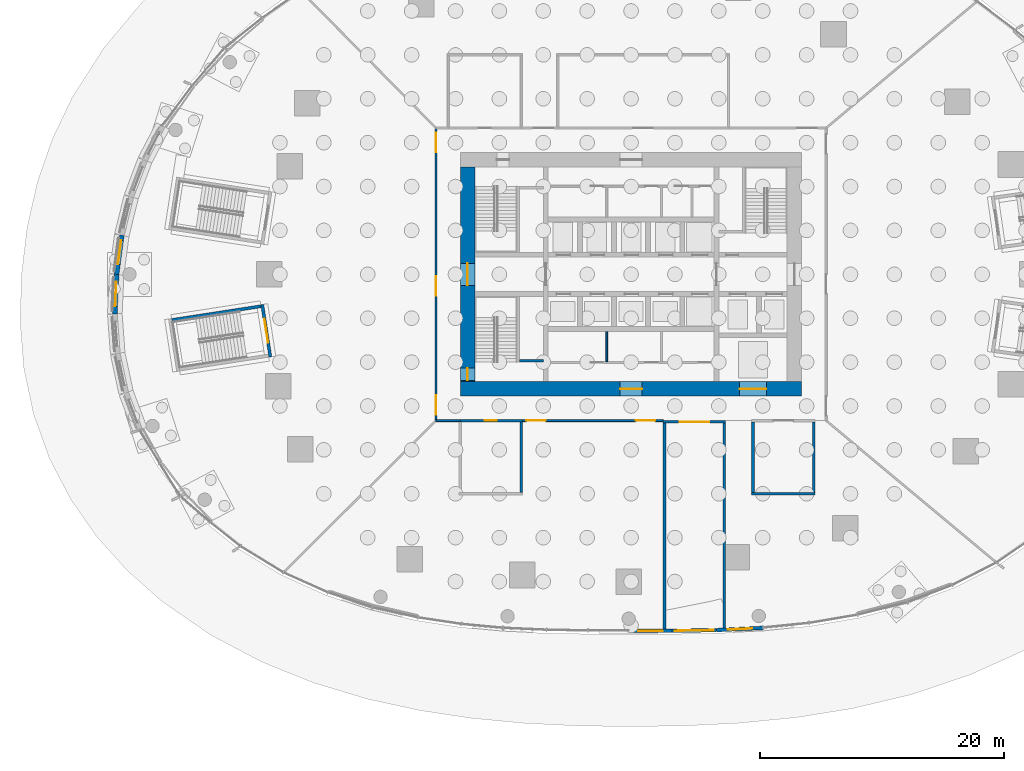
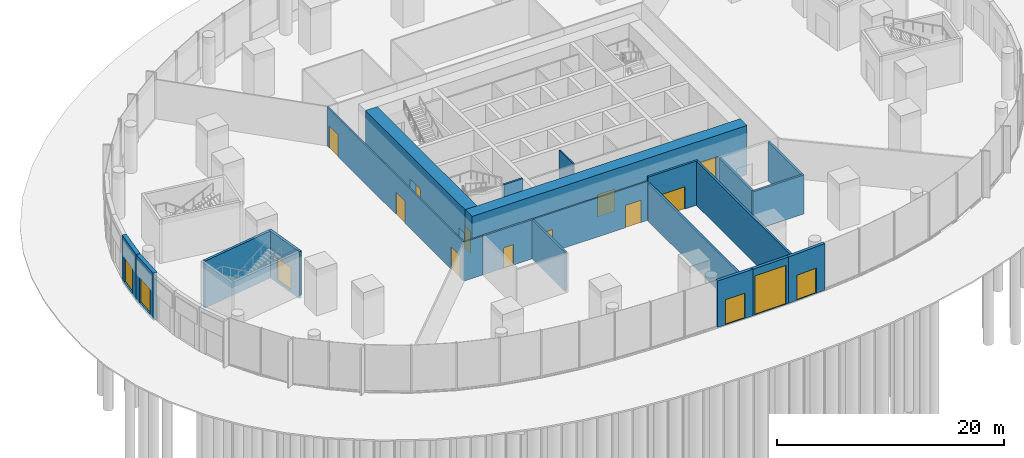
# One storey, part 12 of 29: 22 walls, 17 doors, 17 openings.
"""IFC4 building model written with IfcOpenShell, lengths in metres."""

import ifcopenshell
import ifcopenshell.guid

model = None  # the IFC model being written
_history = None  # IfcOwnerHistory: only IFC2X3 demands one
_inside = {}  # id of a spatial element -> (the spatial element, [elements in it])
_under = {}  # id of a project, library or spatial element -> (it, [spatial elements below it])
_declared = {}  # id of a project -> (the project, [libraries it declares])
_typed = {}  # id of a type object -> (the type object, [elements of that type])
_made_of = {}  # id of a material, layer set ... -> (it, [elements and type objects made of it])


def new_model(schema):
    """Start an empty IFC model of exactly this schema.

    Asked for "IFC4X3", IfcOpenShell would pick the latest addendum, in which some entities
    have other attributes; the version numbers below select the first issue.
    IFC2X3 requires an IfcOwnerHistory on every rooted entity: one is made here for all.
    """
    global model, _history
    if schema == "IFC4X3":
        model = ifcopenshell.file(schema_version=(4, 3, 0, 0))
    else:
        model = ifcopenshell.file(schema=schema)
    _inside.clear()
    _under.clear()
    _declared.clear()
    _typed.clear()
    _made_of.clear()
    _history = None
    if model.schema == "IFC2X3":
        org = make("IfcOrganization", Name="unknown")
        user = make(
            "IfcPersonAndOrganization",
            ThePerson=make("IfcPerson", FamilyName="unknown"),
            TheOrganization=org,
        )
        app = make(
            "IfcApplication",
            ApplicationDeveloper=org,
            Version="unknown",
            ApplicationFullName="unknown",
            ApplicationIdentifier="unknown",
        )
        _history = make(
            "IfcOwnerHistory",
            OwningUser=user,
            OwningApplication=app,
            ChangeAction="ADDED",
            CreationDate=0,
        )
    return model


def make(cls, **values):
    """One entity of the class cls with the attributes given. An attribute that is None is left unset."""
    return model.create_entity(
        cls, **{name: value for name, value in values.items() if value is not None}
    )


def rooted(cls, **values):
    """An entity with a GlobalId (a new one), such as an element, a storey or a relation."""
    return make(cls, GlobalId=ifcopenshell.guid.new(), OwnerHistory=_history, **values)


def si_unit(unit_type, name, prefix=None):
    """IfcSIUnit, for example si_unit("LENGTHUNIT", "METRE", prefix="MILLI")."""
    return make("IfcSIUnit", UnitType=unit_type, Prefix=prefix, Name=name)


def assignment(units):
    """IfcUnitAssignment: the units of a project."""
    return None if units is None else make("IfcUnitAssignment", Units=units)


def point(xyz):
    """IfcCartesianPoint."""
    return None if xyz is None else make("IfcCartesianPoint", Coordinates=xyz)


def direction(xyz):
    """IfcDirection."""
    return None if xyz is None else make("IfcDirection", DirectionRatios=xyz)


def frame(location, z_axis=None, x_axis=None):
    """IfcAxis2Placement3D, a coordinate frame: its origin and axes. An axis left out is left unset."""
    return make(
        "IfcAxis2Placement3D",
        Location=point(location),
        Axis=direction(z_axis),
        RefDirection=direction(x_axis),
    )


def frame_2d(location, x_axis=None):
    """IfcAxis2Placement2D, a coordinate frame in the plane: its origin and x axis."""
    return make(
        "IfcAxis2Placement2D", Location=point(location), RefDirection=direction(x_axis)
    )


def origin():
    """The frame at (0, 0, 0) with its axes left unset."""
    return frame((0.0, 0.0, 0.0))


def place(relative_to, where):
    """IfcLocalPlacement: puts the frame where relative to a parent placement (None: the world)."""
    return make(
        "IfcLocalPlacement", PlacementRelTo=relative_to, RelativePlacement=where
    )


def context(
    kind, dimensions, precision=None, world=None, true_north=None, identifier=None
):
    """IfcGeometricRepresentationContext, for example the 3D "Model" context."""
    return make(
        "IfcGeometricRepresentationContext",
        ContextIdentifier=identifier,
        ContextType=kind,
        CoordinateSpaceDimension=dimensions,
        Precision=precision,
        WorldCoordinateSystem=world,
        TrueNorth=true_north,
    )


def subcontext(parent, identifier, kind, view, scale=None):
    """IfcGeometricRepresentationSubContext, for example "Body" below "Model"."""
    return make(
        "IfcGeometricRepresentationSubContext",
        ContextIdentifier=identifier,
        ContextType=kind,
        ParentContext=parent,
        TargetScale=scale,
        TargetView=view,
    )


def project(units=None, contexts=None):
    """IfcProject with its units and contexts."""
    return rooted(
        "IfcProject",
        Name="project",
        RepresentationContexts=contexts,
        UnitsInContext=assignment(units),
    )


def spatial(cls, under=None, at=None, **own):
    """A site, building, storey or space (cls), placed at a placement, below another one or the project."""
    s = rooted(cls, ObjectPlacement=at, **own)
    if under is not None:
        _under.setdefault(under.id(), (under, []))[1].append(s)
    return s


def profile(cls, at=None, kind="AREA", **sizes):
    """A parametric profile (cls). Its sizes go by their IFC names, for example OverallWidth=200.0."""
    return make(cls, ProfileType=kind, Position=at, **sizes)


def rectangle(**sizes):
    """IfcRectangleProfileDef."""
    return profile("IfcRectangleProfileDef", **sizes)


def extrude(swept, where, along, depth):
    """IfcExtrudedAreaSolid: the profile swept, set in the frame where, extruded along a direction by depth."""
    return make(
        "IfcExtrudedAreaSolid",
        SweptArea=swept,
        Position=where,
        ExtrudedDirection=direction(along),
        Depth=depth,
    )


def shape(context_of_items, identifier, shape_type, items):
    """IfcShapeRepresentation: the items that make up one representation, for example the "Body"."""
    return make(
        "IfcShapeRepresentation",
        ContextOfItems=context_of_items,
        RepresentationIdentifier=identifier,
        RepresentationType=shape_type,
        Items=items,
    )


def material(Name=None, Category=None):
    """IfcMaterial."""
    return make("IfcMaterial", Name=Name, Category=Category)


def layer(
    of_material, thickness, ventilated=None, Name=None, Category=None, Priority=None
):
    """IfcMaterialLayer: one layer of a wall or slab, of a material (None: an air gap)."""
    return make(
        "IfcMaterialLayer",
        Material=of_material,
        LayerThickness=thickness,
        IsVentilated=ventilated,
        Name=Name,
        Category=Category,
        Priority=Priority,
    )


def layer_set(layers, Name=None):
    """IfcMaterialLayerSet."""
    return make("IfcMaterialLayerSet", MaterialLayers=layers, LayerSetName=Name)


def made_of(thing, what):
    """Note that an element or type object is made of a material, layer set ...; save() writes the relation."""
    if what is not None:
        _made_of.setdefault(what.id(), (what, []))[1].append(thing)
    return thing


def type_object(cls, material=None, **own):
    """A type object (cls), such as IfcWallType, which elements share."""
    return made_of(rooted(cls, **own), material)


def element(
    cls,
    number,
    at=None,
    inside=None,
    cuts=None,
    type_object=None,
    material=None,
    context=None,
    identifier="Body",
    shape_type=None,
    held_by="IfcProductDefinitionShape",
    body=None,
    shapes=None,
    **own,
):
    """One element of the class cls, such as IfcWall. Its Tag is "e" and its number.

    at: its placement. inside: the storey or other place that contains it. cuts: it is an
    opening in that element (IfcRelVoidsElement). A single representation is given by context,
    identifier, shape_type and body (its items); several are given by shapes. held_by: the class
    of the entity that holds the representations. save() writes the other relations.
    """
    e = rooted(cls, Tag="e%d" % number, ObjectPlacement=at, **own)
    if body is not None:
        shapes = [shape(context, identifier, shape_type, body)]
    if shapes is not None:
        e.Representation = make(held_by, Representations=shapes)
    if inside is not None:
        _inside.setdefault(inside.id(), (inside, []))[1].append(e)
    if cuts is not None:
        rooted(
            "IfcRelVoidsElement", RelatingBuildingElement=cuts, RelatedOpeningElement=e
        )
    if type_object is not None:
        _typed.setdefault(type_object.id(), (type_object, []))[1].append(e)
    return made_of(e, material)


def fill(opening, filler):
    """IfcRelFillsElement: the door or window that sits in an opening."""
    return rooted(
        "IfcRelFillsElement",
        RelatingOpeningElement=opening,
        RelatedBuildingElement=filler,
    )


def aggregate(whole, parts):
    """IfcRelAggregates: a whole, such as a stair, and the parts it consists of."""
    return rooted("IfcRelAggregates", RelatingObject=whole, RelatedObjects=parts)


def save(model, path):
    """Write the relations noted so far, then the file.

    IfcRelAggregates (storeys below a building ...), IfcRelContainedInSpatialStructure (elements
    in a storey), IfcRelDefinesByType, IfcRelAssociatesMaterial and IfcRelDeclares: one each for
    every whole, place, type object, material and project.
    """
    for whole, parts in _under.values():
        aggregate(whole, parts)
    for where, things in _inside.values():
        rooted(
            "IfcRelContainedInSpatialStructure",
            RelatedElements=things,
            RelatingStructure=where,
        )
    for kind, things in _typed.values():
        rooted("IfcRelDefinesByType", RelatedObjects=things, RelatingType=kind)
    for what, things in _made_of.values():
        rooted("IfcRelAssociatesMaterial", RelatedObjects=things, RelatingMaterial=what)
    for by, libraries in _declared.values():
        rooted("IfcRelDeclares", RelatingContext=by, RelatedDefinitions=libraries)
    model.write(path)


model = new_model("IFC4")

# Units and contexts
model_context = context("Model", 3, precision=1e-05, world=origin(), true_north=direction((0.0, 1.0)))
body_context = subcontext(model_context, "Body", "Model", "MODEL_VIEW")
ifc_project = project(units=[si_unit("LENGTHUNIT", "METRE"), si_unit("AREAUNIT", "SQUARE_METRE"), si_unit("VOLUMEUNIT", "CUBIC_METRE"), si_unit("PLANEANGLEUNIT", "RADIAN"), si_unit("MASSUNIT", "GRAM", prefix="KILO")], contexts=[model_context])

# Site, building, storey
site_placement = place(None, origin())
site = spatial("IfcSite", under=ifc_project, at=site_placement, CompositionType="ELEMENT")
building_placement = place(site_placement, origin())
building = spatial("IfcBuilding", under=site, at=building_placement, Name="Ghaith Harvest Tower", CompositionType="ELEMENT")
storey_placement = place(building_placement, origin())
storey = spatial("IfcBuildingStorey", under=building, at=storey_placement, Name="L00", CompositionType="ELEMENT", Elevation=0.0)

# Wall, opening, door
ifc_material_1 = material(Name="Twin-stud gypsum board, acoustic", Category="gypsum")
ifc_layer_1 = layer(ifc_material_1, 0.199951171875)
ifc_layer_set_1 = layer_set([ifc_layer_1], Name="ACOUSTIC PARTITION 200")
wall_type_1 = type_object("IfcWallType", Name="ACOUSTIC PARTITION 200", PredefinedType="PARTITIONING", material=ifc_layer_set_1)
wall_1_placement = place(storey_placement, frame((-14.10009765625, -12.0, 0.0), z_axis=(0.0, 0.0, 1.0), x_axis=(1.0, 0.0, 0.0)))
wall_1 = element("IfcWall", 1, at=wall_1_placement, inside=storey, type_object=wall_type_1, Name="Partition L00-03", PredefinedType="PARTITIONING", context=body_context, shape_type="SweptSolid", body=[
    extrude(rectangle(XDim=5.2001953125, YDim=0.199951171875, at=frame_2d((2.60009765625, 0.0))), origin(), (0.0, 0.0, 1.0), 4.199951171875),
])
opening_1_placement = place(wall_1_placement, frame((2.10009765625, 0.0, 0.0)))
opening_1 = element("IfcOpeningElement", 2, at=opening_1_placement, cuts=wall_1, Name="Opening 00-036", PredefinedType="OPENING", context=body_context, shape_type="SweptSolid", body=[
    extrude(rectangle(XDim=1.0, YDim=2.199951171875, at=frame_2d((0.5, 1.10009765625))), frame((0.0, 0.10986328125, 0.0), z_axis=(0.0, -1.0, 0.0), x_axis=(1.0, 0.0, 0.0)), (0.0, 0.0, 1.0), 0.219970703125),
])
ifc_material_2 = material(Name="Timber door", Category="wood")
door_type_1 = type_object("IfcDoorType", Name="D1 SINGLE 1000x2200", OperationType="SINGLE_SWING_LEFT", PredefinedType="DOOR", material=ifc_material_2)
door_1_placement = place(opening_1_placement, origin())
door_1 = element("IfcDoor", 3, at=door_1_placement, inside=storey, type_object=door_type_1, Name="Prayer room door", OperationType="SINGLE_SWING_LEFT", OverallHeight=2.199951171875, OverallWidth=1.0, PredefinedType="DOOR", context=body_context, shape_type="SweptSolid", body=[
    extrude(rectangle(XDim=1.0, YDim=2.199951171875, at=frame_2d((0.5, 1.10009765625))), frame((0.0, 0.02490234375, 0.0), z_axis=(0.0, -1.0, 0.0), x_axis=(1.0, 0.0, 0.0)), (0.0, 0.0, 1.0), 0.050048828125),
])
fill(opening_1, door_1)

# Walls
wall_2_placement = place(storey_placement, frame((-9.0, -17.89990234375, 0.0), z_axis=(0.0, 0.0, 1.0), x_axis=(0.0, 1.0, 0.0)))
element("IfcWall", 4, at=wall_2_placement, inside=storey, type_object=wall_type_1, Name="Partition L00-03", PredefinedType="PARTITIONING", context=body_context, shape_type="SweptSolid", body=[
    extrude(rectangle(XDim=5.7998046875, YDim=0.199951171875, at=frame_2d((2.89990234375, 0.0))), origin(), (0.0, 0.0, 1.0), 4.199951171875),
])
ifc_material_3 = material(Name="Concrete blockwork, 1-hour", Category="masonry")
ifc_layer_2 = layer(ifc_material_3, 0.215087890625)
ifc_layer_set_2 = layer_set([ifc_layer_2], Name="BLOCKWORK WALL 215")
wall_type_2 = type_object("IfcWallType", Name="BLOCKWORK WALL 215", PredefinedType="PARTITIONING", material=ifc_layer_set_2)
wall_3_placement = place(storey_placement, frame((9.892578125, -18.0, 0.0), z_axis=(0.0, 0.0, 1.0), x_axis=(1.0, 0.0, 0.0)))
element("IfcWall", 5, at=wall_3_placement, inside=storey, type_object=wall_type_2, Name="Partition L00-04", PredefinedType="PARTITIONING", context=body_context, shape_type="SweptSolid", body=[
    extrude(rectangle(XDim=5.21484375, YDim=0.215087890625, at=frame_2d((2.607421875, 0.0))), origin(), (0.0, 0.0, 1.0), 4.199951171875),
])
for number, where, z_axis, x_axis, name in (
    (6, (10.0, -17.892578125, 0.0), (0.0, 0.0, 1.0), (0.0, 1.0, 0.0), "Partition L00-04"),
    (7, (15.0, -17.892578125, 0.0), (0.0, 0.0, 1.0), (0.0, 1.0, 0.0), "Partition L00-04"),
):
    element("IfcWall", number, at=place(storey_placement, frame(where, z_axis=z_axis, x_axis=x_axis)), inside=storey, type_object=wall_type_2, Name=name, PredefinedType="PARTITIONING", context=body_context, shape_type="SweptSolid", body=[
        extrude(rectangle(XDim=5.78515625, YDim=0.215087890625, at=frame_2d((2.892578125, 0.0))), origin(), (0.0, 0.0, 1.0), 4.199951171875),
    ])
ifc_material_4 = material(Name="Concrete blockwork, fair-faced", Category="masonry")
ifc_layer_3 = layer(ifc_material_4, 0.139892578125)
ifc_layer_set_3 = layer_set([ifc_layer_3], Name="CORE PARTITION 140")
wall_type_3 = type_object("IfcWallType", Name="CORE PARTITION 140", PredefinedType="PARTITIONING", material=ifc_layer_set_3)
wall_4_placement = place(storey_placement, frame((-2.0, -4.699951171875, 0.0), z_axis=(0.0, 0.0, 1.0), x_axis=(0.0, -1.0, 0.0)))
element("IfcWall", 8, at=wall_4_placement, inside=storey, type_object=wall_type_3, Name="Core partition L00", PredefinedType="PARTITIONING", context=body_context, shape_type="SweptSolid", body=[
    extrude(rectangle(XDim=2.4599609375, YDim=0.139892578125, at=frame_2d((1.22998046875, 0.0))), origin(), (0.0, 0.0, 1.0), 4.75),
])

# Wall, openings, doors
ifc_material_5 = material(Name="Concrete C70/85", Category="concrete")
ifc_layer_4 = layer(ifc_material_5, 1.199951171875)
ifc_layer_set_4 = layer_set([ifc_layer_4], Name="CORE WALL CW1200")
wall_type_4 = type_object("IfcWallType", Name="CORE WALL CW1200", PredefinedType="SHEAR", material=ifc_layer_set_4)
wall_5_placement = place(storey_placement, frame((-14.0, -9.39990234375, -0.300048828125), z_axis=(0.0, 0.0, 1.0), x_axis=(1.0, 0.0, 0.0)))
wall_5 = element("IfcWall", 9, at=wall_5_placement, inside=storey, type_object=wall_type_4, Name="Core wall S L00", PredefinedType="SHEAR", context=body_context, shape_type="SweptSolid", body=[
    extrude(rectangle(XDim=28.0, YDim=1.199951171875, at=frame_2d((14.0, 0.0))), origin(), (0.0, 0.0, 1.0), 5.300048828125),
])
opening_2_placement = place(wall_5_placement, frame((13.10009765625, 0.0, 0.300048828125)))
opening_2 = element("IfcOpeningElement", 10, at=opening_2_placement, cuts=wall_5, Name="Opening 00-016", PredefinedType="OPENING", context=body_context, shape_type="SweptSolid", body=[
    extrude(rectangle(XDim=1.800048828125, YDim=2.39990234375, at=frame_2d((0.89990234375, 1.199951171875))), frame((0.0, 0.60986328125, 0.0), z_axis=(0.0, -1.0, 0.0), x_axis=(1.0, 0.0, 0.0)), (0.0, 0.0, 1.0), 1.219970703125),
])
opening_3_placement = place(wall_5_placement, frame((22.89990234375, 0.0, 0.300048828125)))
opening_3 = element("IfcOpeningElement", 11, at=opening_3_placement, cuts=wall_5, Name="Opening 00-029", PredefinedType="OPENING", context=body_context, shape_type="SweptSolid", body=[
    extrude(rectangle(XDim=2.199951171875, YDim=2.699951171875, at=frame_2d((1.10009765625, 1.35009765625))), frame((0.0, 0.60986328125, 0.0), z_axis=(0.0, -1.0, 0.0), x_axis=(1.0, 0.0, 0.0)), (0.0, 0.0, 1.0), 1.219970703125),
])
ifc_material_6 = material(Name="Steel fire door", Category="steel")
door_type_2 = type_object("IfcDoorType", Name="D4 FD90 PAIR 1800x2400", OperationType="DOUBLE_DOOR_SINGLE_SWING", PredefinedType="DOOR", material=ifc_material_6)
door_2_placement = place(opening_2_placement, origin())
door_2 = element("IfcDoor", 12, at=door_2_placement, inside=storey, type_object=door_type_2, Name="Core service corridor doors", OperationType="DOUBLE_DOOR_SINGLE_SWING", OverallHeight=2.39990234375, OverallWidth=1.800048828125, PredefinedType="DOOR", context=body_context, shape_type="SweptSolid", body=[
    extrude(rectangle(XDim=1.800048828125, YDim=2.39990234375, at=frame_2d((0.89990234375, 1.199951171875))), frame((0.0, 0.02490234375, 0.0), z_axis=(0.0, -1.0, 0.0), x_axis=(1.0, 0.0, 0.0)), (0.0, 0.0, 1.0), 0.050048828125),
])
fill(opening_2, door_2)
ifc_material_7 = material(Name="Steel fire door", Category="steel")
door_type_3 = type_object("IfcDoorType", Name="LD3 LANDING 2200x2700", OperationType="DOUBLE_DOOR_SLIDING", PredefinedType="DOOR", material=ifc_material_7)
door_3_placement = place(opening_3_placement, origin())
door_3 = element("IfcDoor", 13, at=door_3_placement, inside=storey, type_object=door_type_3, Name="Landing door, goods lift GL1", OperationType="DOUBLE_DOOR_SLIDING", OverallHeight=2.699951171875, OverallWidth=2.199951171875, PredefinedType="DOOR", context=body_context, shape_type="SweptSolid", body=[
    extrude(rectangle(XDim=2.199951171875, YDim=2.699951171875, at=frame_2d((1.10009765625, 1.35009765625))), frame((0.0, 0.02490234375, 0.0), z_axis=(0.0, -1.0, 0.0), x_axis=(1.0, 0.0, 0.0)), (0.0, 0.0, 1.0), 0.050048828125),
])
fill(opening_3, door_3)

wall_6_placement = place(storey_placement, frame((-13.39990234375, 8.800048828125, -0.300048828125), z_axis=(0.0, 0.0, 1.0), x_axis=(0.0, -1.0, 0.0)))
wall_6 = element("IfcWall", 14, at=wall_6_placement, inside=storey, type_object=wall_type_4, Name="Core wall W L00", PredefinedType="SHEAR", context=body_context, shape_type="SweptSolid", body=[
    extrude(rectangle(XDim=17.60009765625, YDim=1.199951171875, at=frame_2d((8.800048828125, 0.0))), origin(), (0.0, 0.0, 1.0), 5.300048828125),
])
opening_4_placement = place(wall_6_placement, frame((7.89990234375, 0.0, 0.300048828125)))
opening_4 = element("IfcOpeningElement", 15, at=opening_4_placement, cuts=wall_6, Name="Opening 00-001", PredefinedType="OPENING", context=body_context, shape_type="SweptSolid", body=[
    extrude(rectangle(XDim=1.800048828125, YDim=2.39990234375, at=frame_2d((0.89990234375, 1.199951171875))), frame((0.0, 0.60986328125, 0.0), z_axis=(0.0, -1.0, 0.0), x_axis=(1.0, 0.0, 0.0)), (0.0, 0.0, 1.0), 1.219970703125),
])
opening_5_placement = place(wall_6_placement, frame((16.5, 0.0, 0.300048828125)))
opening_5 = element("IfcOpeningElement", 16, at=opening_5_placement, cuts=wall_6, Name="Opening 00-006", PredefinedType="OPENING", context=body_context, shape_type="SweptSolid", body=[
    extrude(rectangle(XDim=1.0, YDim=2.39990234375, at=frame_2d((0.5, 1.199951171875))), frame((0.0, 0.60986328125, 0.0), z_axis=(0.0, -1.0, 0.0), x_axis=(1.0, 0.0, 0.0)), (0.0, 0.0, 1.0), 1.219970703125),
])
ifc_material_8 = material(Name="Steel fire door", Category="steel")
door_type_4 = type_object("IfcDoorType", Name="D3 FD90 1000x2400", OperationType="SINGLE_SWING_LEFT", PredefinedType="DOOR", material=ifc_material_8)
door_4_placement = place(opening_5_placement, origin())
door_4 = element("IfcDoor", 17, at=door_4_placement, inside=storey, type_object=door_type_4, Name="Stair ST3 door", OperationType="SINGLE_SWING_RIGHT", OverallHeight=2.39990234375, OverallWidth=1.0, PredefinedType="DOOR", context=body_context, shape_type="SweptSolid", body=[
    extrude(rectangle(XDim=1.0, YDim=2.39990234375, at=frame_2d((0.5, 1.199951171875))), frame((0.0, 0.02490234375, 0.0), z_axis=(0.0, -1.0, 0.0), x_axis=(1.0, 0.0, 0.0)), (0.0, 0.0, 1.0), 0.050048828125),
])
fill(opening_5, door_4)
door_5_placement = place(opening_4_placement, origin())
door_5 = element("IfcDoor", 18, at=door_5_placement, inside=storey, type_object=door_type_2, Name="West lobby doors", OperationType="DOUBLE_DOOR_SINGLE_SWING", OverallHeight=2.39990234375, OverallWidth=1.800048828125, PredefinedType="DOOR", context=body_context, shape_type="SweptSolid", body=[
    extrude(rectangle(XDim=1.800048828125, YDim=2.39990234375, at=frame_2d((0.89990234375, 1.199951171875))), frame((0.0, 0.02490234375, 0.0), z_axis=(0.0, -1.0, 0.0), x_axis=(1.0, 0.0, 0.0)), (0.0, 0.0, 1.0), 0.050048828125),
])
fill(opening_4, door_5)

# Wall, opening, door
ifc_material_9 = material(Name="Concrete C40/50, board-marked", Category="concrete")
ifc_layer_5 = layer(ifc_material_9, 0.39990234375)
ifc_layer_set_5 = layer_set([ifc_layer_5], Name="ENTRANCE PORTAL WALL 400")
wall_type_5 = type_object("IfcWallType", Name="ENTRANCE PORTAL WALL 400", PredefinedType="SOLIDWALL", material=ifc_layer_set_5)
wall_7_placement = place(storey_placement, frame((-41.77197265625, 3.21142578125, -0.300048828125), z_axis=(0.0, 0.0, 1.0), x_axis=(-0.132099551806, -0.99123645434, 0.0)))
wall_7 = element("IfcWall", 19, at=wall_7_placement, inside=storey, type_object=wall_type_5, Name="Entrance portal wall 10.4", PredefinedType="SOLIDWALL", context=body_context, shape_type="SweptSolid", body=[
    extrude(rectangle(XDim=3.23974609375, YDim=0.39990234375, at=frame_2d((1.619873046875, 0.0))), origin(), (0.0, 0.0, 1.0), 5.080078125),
])
opening_6_placement = place(wall_7_placement, frame((0.419921875, 0.0, 0.300048828125)))
opening_6 = element("IfcOpeningElement", 20, at=opening_6_placement, cuts=wall_7, Name="Opening ED104", PredefinedType="OPENING", context=body_context, shape_type="SweptSolid", body=[
    extrude(rectangle(XDim=2.0, YDim=2.699951171875, at=frame_2d((1.0, 1.35009765625))), frame((0.0, 0.2099609375, 0.0), z_axis=(0.0, -1.0, 0.0), x_axis=(1.0, 0.0, 0.0)), (0.0, 0.0, 1.0), 0.419921875),
])
ifc_material_10 = material(Name="Steel and glass, black", Category="steel")
door_type_5 = type_object("IfcDoorType", Name="ENTRANCE DOOR PAIR 2000x2700", OperationType="DOUBLE_DOOR_DOUBLE_SWING", PredefinedType="DOOR", material=ifc_material_10)
door_6_placement = place(opening_6_placement, origin())
door_6 = element("IfcDoor", 21, at=door_6_placement, inside=storey, type_object=door_type_5, Name="Entrance doors 10.4", OperationType="DOUBLE_DOOR_DOUBLE_SWING", OverallHeight=2.699951171875, OverallWidth=2.0, PredefinedType="DOOR", context=body_context, shape_type="SweptSolid", body=[
    extrude(rectangle(XDim=2.0, YDim=2.699951171875, at=frame_2d((1.0, 1.35009765625))), frame((0.0, 0.02490234375, 0.0), z_axis=(0.0, -1.0, 0.0), x_axis=(1.0, 0.0, 0.0)), (0.0, 0.0, 1.0), 0.050048828125),
])
fill(opening_6, door_6)

wall_8_placement = place(storey_placement, frame((-42.199951171875, 0.0, -0.300048828125), z_axis=(0.0, 0.0, 1.0), x_axis=(-0.044503635675, -0.999009222386, 0.0)))
wall_8 = element("IfcWall", 22, at=wall_8_placement, inside=storey, type_object=wall_type_5, Name="Entrance portal wall 11.1", PredefinedType="SOLIDWALL", context=body_context, shape_type="SweptSolid", body=[
    extrude(rectangle(XDim=3.258544921875, YDim=0.39990234375, at=frame_2d((1.62939453125, 0.0))), origin(), (0.0, 0.0, 1.0), 5.080078125),
])
opening_7_placement = place(wall_8_placement, frame((0.62939453125, 0.0, 0.300048828125)))
opening_7 = element("IfcOpeningElement", 23, at=opening_7_placement, cuts=wall_8, Name="Opening ED111", PredefinedType="OPENING", context=body_context, shape_type="SweptSolid", body=[
    extrude(rectangle(XDim=2.0, YDim=2.699951171875, at=frame_2d((1.0, 1.35009765625))), frame((0.0, 0.2099609375, 0.0), z_axis=(0.0, -1.0, 0.0), x_axis=(1.0, 0.0, 0.0)), (0.0, 0.0, 1.0), 0.419921875),
])
door_7_placement = place(opening_7_placement, origin())
door_7 = element("IfcDoor", 24, at=door_7_placement, inside=storey, type_object=door_type_5, Name="Entrance doors 11.1", OperationType="DOUBLE_DOOR_DOUBLE_SWING", OverallHeight=2.699951171875, OverallWidth=2.0, PredefinedType="DOOR", context=body_context, shape_type="SweptSolid", body=[
    extrude(rectangle(XDim=2.0, YDim=2.699951171875, at=frame_2d((1.0, 1.35009765625))), frame((0.0, 0.02490234375, 0.0), z_axis=(0.0, -1.0, 0.0), x_axis=(1.0, 0.0, 0.0)), (0.0, 0.0, 1.0), 0.050048828125),
])
fill(opening_7, door_7)

# Wall
ifc_material_11 = material(Name="Concrete blockwork, 1-hour", Category="masonry")
ifc_layer_6 = layer(ifc_material_11, 0.215087890625)
ifc_layer_set_6 = layer_set([ifc_layer_6], Name="GOODS BAY BLOCKWORK WALL 215")
wall_type_6 = type_object("IfcWallType", Name="GOODS BAY BLOCKWORK WALL 215", PredefinedType="PARTITIONING", material=ifc_layer_set_6)
wall_9_placement = place(storey_placement, frame((7.647705078125, -29.009033203125, 0.0), z_axis=(0.0, 0.0, 1.0), x_axis=(0.0, 1.0, 0.0)))
element("IfcWall", 25, at=wall_9_placement, inside=storey, type_object=wall_type_6, Name="Loading bay wall E", PredefinedType="PARTITIONING", context=body_context, shape_type="SweptSolid", body=[
    extrude(rectangle(XDim=16.7939453125, YDim=0.215087890625, at=frame_2d((8.39697265625, 0.0))), origin(), (0.0, 0.0, 1.0), 4.75),
])

# Wall, opening, door
wall_10_placement = place(storey_placement, frame((2.64013671875, -12.107421875, 0.0), z_axis=(0.0, 0.0, 1.0), x_axis=(1.0, 0.0, 0.0)))
wall_10 = element("IfcWall", 26, at=wall_10_placement, inside=storey, type_object=wall_type_6, Name="Loading bay wall N", PredefinedType="PARTITIONING", context=body_context, shape_type="SweptSolid", body=[
    extrude(rectangle(XDim=5.114990234375, YDim=0.215087890625, at=frame_2d((2.5576171875, 0.0))), origin(), (0.0, 0.0, 1.0), 4.75),
])
opening_8_placement = place(wall_10_placement, frame((1.357421875, 0.0, 0.0)))
opening_8 = element("IfcOpeningElement", 27, at=opening_8_placement, cuts=wall_10, Name="Opening 00-038", PredefinedType="OPENING", context=body_context, shape_type="SweptSolid", body=[
    extrude(rectangle(XDim=2.39990234375, YDim=2.39990234375, at=frame_2d((1.199951171875, 1.199951171875))), frame((0.0, 0.11767578125, 0.0), z_axis=(0.0, -1.0, 0.0), x_axis=(1.0, 0.0, 0.0)), (0.0, 0.0, 1.0), 0.235107421875),
])
ifc_material_12 = material(Name="Timber door", Category="wood")
door_type_6 = type_object("IfcDoorType", Name="D10 PLANT PAIR 2400x2400", OperationType="DOUBLE_DOOR_SINGLE_SWING", PredefinedType="DOOR", material=ifc_material_12)
door_8_placement = place(opening_8_placement, origin())
door_8 = element("IfcDoor", 28, at=door_8_placement, inside=storey, type_object=door_type_6, Name="Loading bay door", OperationType="DOUBLE_DOOR_SINGLE_SWING", OverallHeight=2.39990234375, OverallWidth=2.39990234375, PredefinedType="DOOR", context=body_context, shape_type="SweptSolid", body=[
    extrude(rectangle(XDim=2.39990234375, YDim=2.39990234375, at=frame_2d((1.199951171875, 1.199951171875))), frame((0.0, 0.02490234375, 0.0), z_axis=(0.0, -1.0, 0.0), x_axis=(1.0, 0.0, 0.0)), (0.0, 0.0, 1.0), 0.050048828125),
])
fill(opening_8, door_8)

# Wall
ifc_material_13 = material(Name="Concrete blockwork, 1-hour", Category="masonry")
ifc_layer_7 = layer(ifc_material_13, 0.215087890625)
ifc_layer_set_7 = layer_set([ifc_layer_7], Name="GOODS BAY BLOCKWORK WALL 215H")
wall_type_7 = type_object("IfcWallType", Name="GOODS BAY BLOCKWORK WALL 215H", PredefinedType="PARTITIONING", material=ifc_layer_set_7)
wall_11_placement = place(storey_placement, frame((2.747802734375, -29.097900390625, 0.0), z_axis=(0.0, 0.0, 1.0), x_axis=(0.0, 1.0, 0.0)))
element("IfcWall", 29, at=wall_11_placement, inside=storey, type_object=wall_type_7, Name="Loading bay wall W", PredefinedType="PARTITIONING", context=body_context, shape_type="SweptSolid", body=[
    extrude(rectangle(XDim=16.8828125, YDim=0.215087890625, at=frame_2d((8.44140625, 0.0))), origin(), (0.0, 0.0, 1.0), 4.06591796875),
])

# Wall, opening, door
ifc_material_14 = material(Name="Concrete blockwork, rendered black", Category="masonry")
ifc_layer_8 = layer(ifc_material_14, 0.300048828125)
ifc_layer_set_8 = layer_set([ifc_layer_8], Name="LOADING BAY WALL 300")
wall_type_8 = type_object("IfcWallType", Name="LOADING BAY WALL 300", PredefinedType="SOLIDWALL", material=ifc_layer_set_8)
wall_12_placement = place(storey_placement, frame((-0.2001953125, -29.25, 0.0), z_axis=(0.0, 0.0, 1.0), x_axis=(0.999999766076, 0.000683994368, 0.0)))
wall_12 = element("IfcWall", 30, at=wall_12_placement, inside=storey, type_object=wall_type_8, Name="Loading bay wall 16.1", PredefinedType="SOLIDWALL", context=body_context, shape_type="SweptSolid", body=[
    extrude(rectangle(XDim=3.5693359375, YDim=0.300048828125, at=frame_2d((1.78466796875, 0.0))), origin(), (0.0, 0.0, 1.0), 5.0),
])
opening_9_placement = place(wall_12_placement, frame((0.78466796875, 0.0, 0.0)))
opening_9 = element("IfcOpeningElement", 31, at=opening_9_placement, cuts=wall_12, Name="Opening ED161", PredefinedType="OPENING", context=body_context, shape_type="SweptSolid", body=[
    extrude(rectangle(XDim=2.0, YDim=2.699951171875, at=frame_2d((1.0, 1.35009765625))), frame((0.0, 0.16015625, 0.0), z_axis=(0.0, -1.0, 0.0), x_axis=(1.0, 0.0, 0.0)), (0.0, 0.0, 1.0), 0.320068359375),
])
door_9_placement = place(opening_9_placement, origin())
door_9 = element("IfcDoor", 32, at=door_9_placement, inside=storey, type_object=door_type_5, Name="Service entrance doors 16.1", OperationType="DOUBLE_DOOR_DOUBLE_SWING", OverallHeight=2.699951171875, OverallWidth=2.0, PredefinedType="DOOR", context=body_context, shape_type="SweptSolid", body=[
    extrude(rectangle(XDim=2.0, YDim=2.699951171875, at=frame_2d((1.0, 1.35009765625))), frame((0.0, 0.02490234375, 0.0), z_axis=(0.0, -1.0, 0.0), x_axis=(1.0, 0.0, 0.0)), (0.0, 0.0, 1.0), 0.050048828125),
])
fill(opening_9, door_9)

wall_13_placement = place(storey_placement, frame((3.369140625, -29.24755859375, 0.0), z_axis=(0.0, 0.0, 1.0), x_axis=(0.99987486997, 0.015819115099, 0.0)))
wall_13 = element("IfcWall", 33, at=wall_13_placement, inside=storey, type_object=wall_type_8, Name="Loading bay wall 16.2", PredefinedType="SOLIDWALL", context=body_context, shape_type="SweptSolid", body=[
    extrude(rectangle(XDim=3.65771484375, YDim=0.300048828125, at=frame_2d((1.828857421875, 0.0))), origin(), (0.0, 0.0, 1.0), 5.0),
])
opening_10_placement = place(wall_13_placement, frame((0.228759765625, 0.0, 0.0)))
opening_10 = element("IfcOpeningElement", 34, at=opening_10_placement, cuts=wall_13, Name="Opening RS1", PredefinedType="OPENING", context=body_context, shape_type="SweptSolid", body=[
    extrude(rectangle(XDim=3.199951171875, YDim=4.199951171875, at=frame_2d((1.60009765625, 2.10009765625))), frame((0.0, 0.16015625, 0.0), z_axis=(0.0, -1.0, 0.0), x_axis=(1.0, 0.0, 0.0)), (0.0, 0.0, 1.0), 0.320068359375),
])
ifc_material_15 = material(Name="Steel roller shutter", Category="steel")
door_type_7 = type_object("IfcDoorType", Name="ROLLER SHUTTER 3200x4200", OperationType="ROLLINGUP", PredefinedType="DOOR", material=ifc_material_15)
door_10_placement = place(opening_10_placement, origin())
door_10 = element("IfcDoor", 35, at=door_10_placement, inside=storey, type_object=door_type_7, Name="Loading bay roller shutter", OperationType="ROLLINGUP", OverallHeight=4.199951171875, OverallWidth=3.199951171875, PredefinedType="DOOR", context=body_context, shape_type="SweptSolid", body=[
    extrude(rectangle(XDim=3.199951171875, YDim=4.199951171875, at=frame_2d((1.60009765625, 2.10009765625))), frame((0.0, 0.02490234375, 0.0), z_axis=(0.0, -1.0, 0.0), x_axis=(1.0, 0.0, 0.0)), (0.0, 0.0, 1.0), 0.050048828125),
])
fill(opening_10, door_10)

wall_14_placement = place(storey_placement, frame((7.0263671875, -29.189697265625, 0.0), z_axis=(0.0, 0.0, 1.0), x_axis=(0.998807491797, 0.048822068057, 0.0)))
wall_14 = element("IfcWall", 36, at=wall_14_placement, inside=storey, type_object=wall_type_8, Name="Loading bay wall 16.3", PredefinedType="SOLIDWALL", context=body_context, shape_type="SweptSolid", body=[
    extrude(rectangle(XDim=3.820556640625, YDim=0.300048828125, at=frame_2d((1.91015625, 0.0))), origin(), (0.0, 0.0, 1.0), 5.0),
])
opening_11_placement = place(wall_14_placement, frame((0.910400390625, 0.0, 0.0)))
opening_11 = element("IfcOpeningElement", 37, at=opening_11_placement, cuts=wall_14, Name="Opening ED163", PredefinedType="OPENING", context=body_context, shape_type="SweptSolid", body=[
    extrude(rectangle(XDim=2.0, YDim=2.699951171875, at=frame_2d((1.0, 1.35009765625))), frame((0.0, 0.16015625, 0.0), z_axis=(0.0, -1.0, 0.0), x_axis=(1.0, 0.0, 0.0)), (0.0, 0.0, 1.0), 0.320068359375),
])
door_11_placement = place(opening_11_placement, origin())
door_11 = element("IfcDoor", 38, at=door_11_placement, inside=storey, type_object=door_type_5, Name="Service entrance doors 16.3", OperationType="DOUBLE_DOOR_DOUBLE_SWING", OverallHeight=2.699951171875, OverallWidth=2.0, PredefinedType="DOOR", context=body_context, shape_type="SweptSolid", body=[
    extrude(rectangle(XDim=2.0, YDim=2.699951171875, at=frame_2d((1.0, 1.35009765625))), frame((0.0, 0.02490234375, 0.0), z_axis=(0.0, -1.0, 0.0), x_axis=(1.0, 0.0, 0.0)), (0.0, 0.0, 1.0), 0.050048828125),
])
fill(opening_11, door_11)

# Wall
ifc_material_16 = material(Name="Gypsum board on steel studs", Category="steel")
ifc_layer_9 = layer(ifc_material_16, 0.14990234375)
ifc_layer_set_9 = layer_set([ifc_layer_9], Name="PARTITION 150")
wall_type_9 = type_object("IfcWallType", Name="PARTITION 150", PredefinedType="PARTITIONING", material=ifc_layer_set_9)
wall_15_placement = place(storey_placement, frame((-16.0, -12.0, 0.0), z_axis=(0.0, 0.0, 1.0), x_axis=(1.0, 0.0, 0.0)))
element("IfcWall", 39, at=wall_15_placement, inside=storey, type_object=wall_type_9, Name="Partition L00 zone enclosure", PredefinedType="PARTITIONING", context=body_context, shape_type="SweptSolid", body=[
    extrude(rectangle(XDim=2.0, YDim=0.14990234375, at=frame_2d((1.0, 0.0))), origin(), (0.0, 0.0, 1.0), 4.199951171875),
])

# Wall, openings, doors
wall_16_placement = place(storey_placement, frame((-9.0, -12.0, 0.0), z_axis=(0.0, 0.0, 1.0), x_axis=(1.0, 0.0, 0.0)))
wall_16 = element("IfcWall", 40, at=wall_16_placement, inside=storey, type_object=wall_type_9, Name="Partition L00 zone enclosure", PredefinedType="PARTITIONING", context=body_context, shape_type="SweptSolid", body=[
    extrude(rectangle(XDim=11.64013671875, YDim=0.14990234375, at=frame_2d((5.820068359375, 0.0))), origin(), (0.0, 0.0, 1.0), 4.199951171875),
])
opening_12_placement = place(wall_16_placement, frame((0.39990234375, 0.0, 0.0)))
opening_12 = element("IfcOpeningElement", 41, at=opening_12_placement, cuts=wall_16, Name="Opening 00-044", PredefinedType="OPENING", context=body_context, shape_type="SweptSolid", body=[
    extrude(rectangle(XDim=1.60009765625, YDim=2.39990234375, at=frame_2d((0.800048828125, 1.199951171875))), frame((0.0, 0.0849609375, 0.0), z_axis=(0.0, -1.0, 0.0), x_axis=(1.0, 0.0, 0.0)), (0.0, 0.0, 1.0), 0.169921875),
])
opening_13_placement = place(wall_16_placement, frame((9.39990234375, 0.0, 0.0)))
opening_13 = element("IfcOpeningElement", 42, at=opening_13_placement, cuts=wall_16, Name="Opening 00-045", PredefinedType="OPENING", context=body_context, shape_type="SweptSolid", body=[
    extrude(rectangle(XDim=1.60009765625, YDim=2.39990234375, at=frame_2d((0.800048828125, 1.199951171875))), frame((0.0, 0.0849609375, 0.0), z_axis=(0.0, -1.0, 0.0), x_axis=(1.0, 0.0, 0.0)), (0.0, 0.0, 1.0), 0.169921875),
])
ifc_material_17 = material(Name="Timber door", Category="wood")
door_type_8 = type_object("IfcDoorType", Name="D2 PAIR 1600x2400", OperationType="DOUBLE_DOOR_SINGLE_SWING", PredefinedType="DOOR", material=ifc_material_17)
door_12_placement = place(opening_12_placement, origin())
door_12 = element("IfcDoor", 43, at=door_12_placement, inside=storey, type_object=door_type_8, Name="Produce market south 1 door", OperationType="DOUBLE_DOOR_SINGLE_SWING", OverallHeight=2.39990234375, OverallWidth=1.60009765625, PredefinedType="DOOR", context=body_context, shape_type="SweptSolid", body=[
    extrude(rectangle(XDim=1.60009765625, YDim=2.39990234375, at=frame_2d((0.800048828125, 1.199951171875))), frame((0.0, 0.02490234375, 0.0), z_axis=(0.0, -1.0, 0.0), x_axis=(1.0, 0.0, 0.0)), (0.0, 0.0, 1.0), 0.050048828125),
])
fill(opening_12, door_12)
door_13_placement = place(opening_13_placement, origin())
door_13 = element("IfcDoor", 44, at=door_13_placement, inside=storey, type_object=door_type_8, Name="Produce market south 1 door", OperationType="DOUBLE_DOOR_SINGLE_SWING", OverallHeight=2.39990234375, OverallWidth=1.60009765625, PredefinedType="DOOR", context=body_context, shape_type="SweptSolid", body=[
    extrude(rectangle(XDim=1.60009765625, YDim=2.39990234375, at=frame_2d((0.800048828125, 1.199951171875))), frame((0.0, 0.02490234375, 0.0), z_axis=(0.0, -1.0, 0.0), x_axis=(1.0, 0.0, 0.0)), (0.0, 0.0, 1.0), 0.050048828125),
])
fill(opening_13, door_13)

wall_17_placement = place(storey_placement, frame((-16.0, 12.0, 0.0), z_axis=(0.0, 0.0, 1.0), x_axis=(0.0, -1.0, 0.0)))
wall_17 = element("IfcWall", 45, at=wall_17_placement, inside=storey, type_object=wall_type_9, Name="Partition L00 zone enclosure", PredefinedType="PARTITIONING", context=body_context, shape_type="SweptSolid", body=[
    extrude(rectangle(XDim=24.0, YDim=0.14990234375, at=frame_2d((12.0, 0.0))), origin(), (0.0, 0.0, 1.0), 4.199951171875),
])
opening_14_placement = place(wall_17_placement, frame((12.14990234375, 0.0, 0.0)))
opening_14 = element("IfcOpeningElement", 46, at=opening_14_placement, cuts=wall_17, Name="Opening 00-046", PredefinedType="OPENING", context=body_context, shape_type="SweptSolid", body=[
    extrude(rectangle(XDim=1.60009765625, YDim=2.39990234375, at=frame_2d((0.800048828125, 1.199951171875))), frame((0.0, 0.0849609375, 0.0), z_axis=(0.0, -1.0, 0.0), x_axis=(1.0, 0.0, 0.0)), (0.0, 0.0, 1.0), 0.169921875),
])
opening_15_placement = place(wall_17_placement, frame((0.39990234375, 0.0, 0.0)))
opening_15 = element("IfcOpeningElement", 47, at=opening_15_placement, cuts=wall_17, Name="Opening 00-047", PredefinedType="OPENING", context=body_context, shape_type="SweptSolid", body=[
    extrude(rectangle(XDim=1.60009765625, YDim=2.39990234375, at=frame_2d((0.800048828125, 1.199951171875))), frame((0.0, 0.0849609375, 0.0), z_axis=(0.0, -1.0, 0.0), x_axis=(1.0, 0.0, 0.0)), (0.0, 0.0, 1.0), 0.169921875),
])
opening_16_placement = place(wall_17_placement, frame((21.89990234375, 0.0, 0.0)))
opening_16 = element("IfcOpeningElement", 48, at=opening_16_placement, cuts=wall_17, Name="Opening 00-048", PredefinedType="OPENING", context=body_context, shape_type="SweptSolid", body=[
    extrude(rectangle(XDim=1.60009765625, YDim=2.39990234375, at=frame_2d((0.800048828125, 1.199951171875))), frame((0.0, 0.0849609375, 0.0), z_axis=(0.0, -1.0, 0.0), x_axis=(1.0, 0.0, 0.0)), (0.0, 0.0, 1.0), 0.169921875),
])
door_14_placement = place(opening_14_placement, origin())
door_14 = element("IfcDoor", 49, at=door_14_placement, inside=storey, type_object=door_type_8, Name="Bakery and deli market west door", OperationType="DOUBLE_DOOR_SINGLE_SWING", OverallHeight=2.39990234375, OverallWidth=1.60009765625, PredefinedType="DOOR", context=body_context, shape_type="SweptSolid", body=[
    extrude(rectangle(XDim=1.60009765625, YDim=2.39990234375, at=frame_2d((0.800048828125, 1.199951171875))), frame((0.0, 0.02490234375, 0.0), z_axis=(0.0, -1.0, 0.0), x_axis=(1.0, 0.0, 0.0)), (0.0, 0.0, 1.0), 0.050048828125),
])
fill(opening_14, door_14)
door_15_placement = place(opening_15_placement, origin())
door_15 = element("IfcDoor", 50, at=door_15_placement, inside=storey, type_object=door_type_8, Name="Bakery and deli market west door", OperationType="DOUBLE_DOOR_SINGLE_SWING", OverallHeight=2.39990234375, OverallWidth=1.60009765625, PredefinedType="DOOR", context=body_context, shape_type="SweptSolid", body=[
    extrude(rectangle(XDim=1.60009765625, YDim=2.39990234375, at=frame_2d((0.800048828125, 1.199951171875))), frame((0.0, 0.02490234375, 0.0), z_axis=(0.0, -1.0, 0.0), x_axis=(1.0, 0.0, 0.0)), (0.0, 0.0, 1.0), 0.050048828125),
])
fill(opening_15, door_15)
door_16_placement = place(opening_16_placement, origin())
door_16 = element("IfcDoor", 51, at=door_16_placement, inside=storey, type_object=door_type_8, Name="Bakery and deli market west door", OperationType="DOUBLE_DOOR_SINGLE_SWING", OverallHeight=2.39990234375, OverallWidth=1.60009765625, PredefinedType="DOOR", context=body_context, shape_type="SweptSolid", body=[
    extrude(rectangle(XDim=1.60009765625, YDim=2.39990234375, at=frame_2d((0.800048828125, 1.199951171875))), frame((0.0, 0.02490234375, 0.0), z_axis=(0.0, -1.0, 0.0), x_axis=(1.0, 0.0, 0.0)), (0.0, 0.0, 1.0), 0.050048828125),
])
fill(opening_16, door_16)

# Wall, opening, door
ifc_material_18 = material(Name="Concrete C40/50", Category="concrete")
ifc_layer_10 = layer(ifc_material_18, 0.25)
ifc_layer_set_10 = layer_set([ifc_layer_10], Name="STAIR ENCLOSURE WALL RC250")
wall_type_10 = type_object("IfcWallType", Name="STAIR ENCLOSURE WALL RC250", PredefinedType="SOLIDWALL", material=ifc_layer_set_10)
wall_18_placement = place(storey_placement, frame((-30.251708984375, -2.47802734375, -0.300048828125), z_axis=(0.0, 0.0, 1.0), x_axis=(0.152820464277, -0.988253968218, 0.0)))
wall_18 = element("IfcWall", 52, at=wall_18_placement, inside=storey, type_object=wall_type_10, Name="Stair PS3 enclosure wall L00", PredefinedType="SOLIDWALL", context=body_context, shape_type="SweptSolid", body=[
    extrude(rectangle(XDim=4.35009765625, YDim=0.25, at=frame_2d((2.175048828125, 0.0))), origin(), (0.0, 0.0, 1.0), 5.050048828125),
])
opening_17_placement = place(wall_18_placement, frame((1.175048828125, 0.0, 0.300048828125)))
opening_17 = element("IfcOpeningElement", 53, at=opening_17_placement, cuts=wall_18, Name="Opening 00-032", PredefinedType="OPENING", context=body_context, shape_type="SweptSolid", body=[
    extrude(rectangle(XDim=2.0, YDim=2.39990234375, at=frame_2d((1.0, 1.199951171875))), frame((0.0, 0.135009765625, 0.0), z_axis=(0.0, -1.0, 0.0), x_axis=(1.0, 0.0, 0.0)), (0.0, 0.0, 1.0), 0.27001953125),
])
ifc_material_19 = material(Name="Steel fire door", Category="steel")
door_type_9 = type_object("IfcDoorType", Name="D8 FD90 PAIR 2000x2400", OperationType="DOUBLE_DOOR_SINGLE_SWING", PredefinedType="DOOR", material=ifc_material_19)
door_17_placement = place(opening_17_placement, origin())
door_17 = element("IfcDoor", 54, at=door_17_placement, inside=storey, type_object=door_type_9, Name="Stair PS3 doors", OperationType="DOUBLE_DOOR_SINGLE_SWING", OverallHeight=2.39990234375, OverallWidth=2.0, PredefinedType="DOOR", context=body_context, shape_type="SweptSolid", body=[
    extrude(rectangle(XDim=2.0, YDim=2.39990234375, at=frame_2d((1.0, 1.199951171875))), frame((0.0, 0.02490234375, 0.0), z_axis=(0.0, -1.0, 0.0), x_axis=(1.0, 0.0, 0.0)), (0.0, 0.0, 1.0), 0.050048828125),
])
fill(opening_17, door_17)

# Walls
wall_19_placement = place(storey_placement, frame((-30.356201171875, -2.620849609375, -0.300048828125), z_axis=(0.0, 0.0, 1.0), x_axis=(-0.988248943707, -0.152852953068, 0.0)))
element("IfcWall", 55, at=wall_19_placement, inside=storey, type_object=wall_type_10, Name="Stair PS3 enclosure wall L00", PredefinedType="SOLIDWALL", context=body_context, shape_type="SweptSolid", body=[
    extrude(rectangle(XDim=7.39990234375, YDim=0.25, at=frame_2d((3.699951171875, 0.0))), origin(), (0.0, 0.0, 1.0), 5.050048828125),
])
ifc_material_20 = material(Name="Concrete C40/50", Category="concrete")
ifc_layer_11 = layer(ifc_material_20, 0.199951171875)
ifc_layer_set_11 = layer_set([ifc_layer_11], Name="STAIR SPINE WALL RC200")
wall_type_11 = type_object("IfcWallType", Name="STAIR SPINE WALL RC200", PredefinedType="SOLIDWALL", material=ifc_layer_set_11)
wall_20_placement = place(storey_placement, frame((-9.14990234375, -7.10009765625, -0.300048828125), z_axis=(0.0, 0.0, 1.0), x_axis=(1.0, 0.0, 0.0)))
element("IfcWall", 56, at=wall_20_placement, inside=storey, type_object=wall_type_11, Name="Stair ST3 spine wall return L00", PredefinedType="SOLIDWALL", context=body_context, shape_type="SweptSolid", body=[
    extrude(rectangle(XDim=1.949951171875, YDim=0.199951171875, at=frame_2d((0.97509765625, 0.0))), origin(), (0.0, 0.0, 1.0), 5.300048828125),
])

save(model, "model.ifc")
